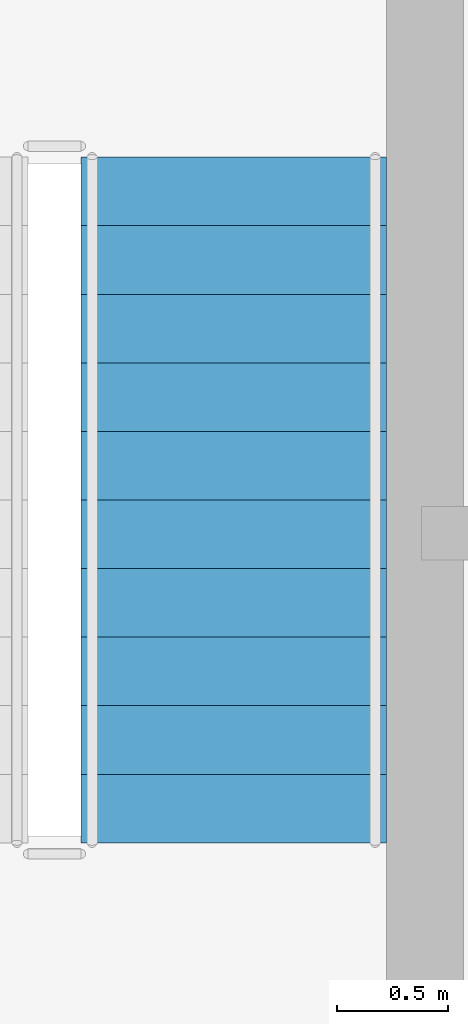
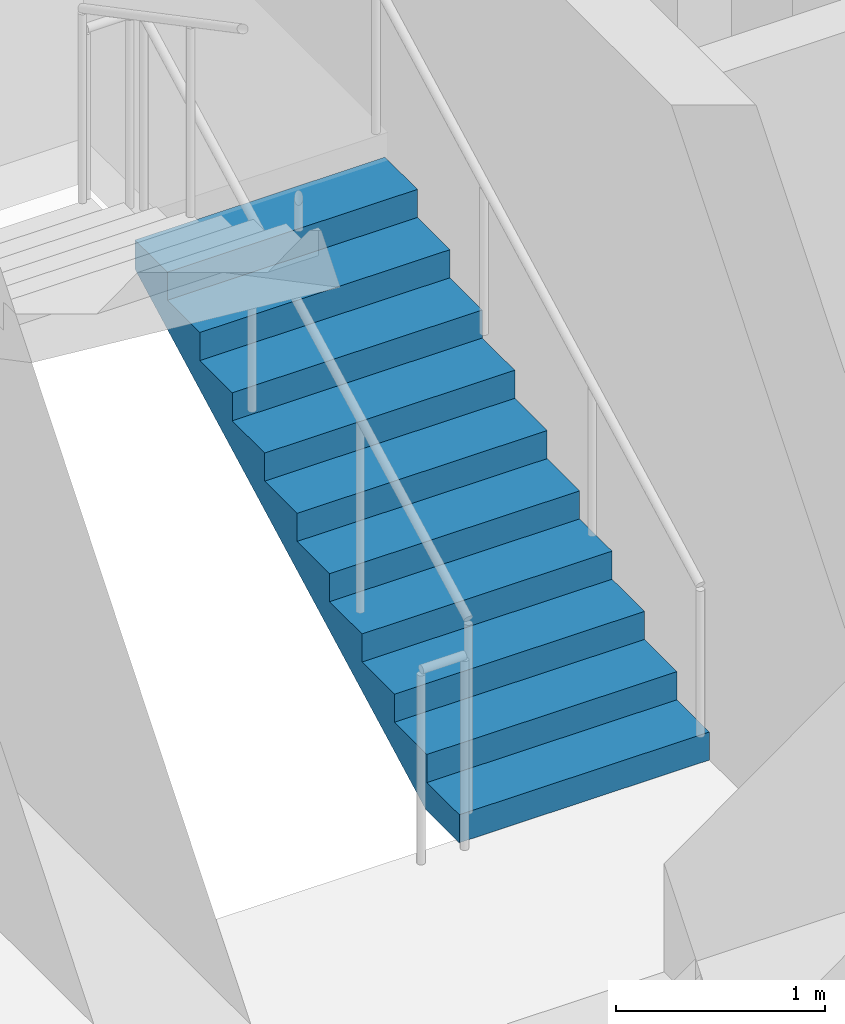
# One storey, part 20 of 21: 1 stair flight, 1 element without a shape of its own.
"""IFC4 building model written with IfcOpenShell, lengths in metres."""

from ifc_helpers import new_model, si_unit, direction, frame, origin, place, context, subcontext, project, spatial, polyline, outline, extrude, source, transform, mapped, material, type_object, element, aggregate, save


model = new_model("IFC4")

# Units and contexts
model_context = context("Model", 3, precision=1e-05, world=origin(), true_north=direction((0.0, 1.0)))
body_context = subcontext(model_context, "Body", "Model", "MODEL_VIEW")
ifc_project = project(units=[si_unit("LENGTHUNIT", "METRE"), si_unit("AREAUNIT", "SQUARE_METRE"), si_unit("VOLUMEUNIT", "CUBIC_METRE"), si_unit("PLANEANGLEUNIT", "RADIAN"), si_unit("MASSUNIT", "GRAM", prefix="KILO")], contexts=[model_context])

# Site, building, storey
site_placement = place(None, origin())
site = spatial("IfcSite", under=ifc_project, at=site_placement, CompositionType="ELEMENT")
building_placement = place(site_placement, origin())
building = spatial("IfcBuilding", under=site, at=building_placement, Name="Khoralis Quay Care Tower", CompositionType="ELEMENT")
storey_placement = place(building_placement, frame((0.0, 0.0, 213.300048828125)))
storey = spatial("IfcBuildingStorey", under=building, at=storey_placement, Name="L56", CompositionType="ELEMENT", Elevation=213.300048828125)

# Stair, stair flight
ifc_material = material(Name="Precast concrete C45/55", Category="concrete")
stair_type = type_object("IfcStairType", Name="ST-TWR-DOGLEG-1400", PredefinedType="HALF_TURN_STAIR", material=ifc_material)
stair_placement = place(storey_placement, origin())
stair = element("IfcStair", 1, at=stair_placement, inside=storey, type_object=stair_type, Name="L56 East Core Exit Stair ST-T2", PredefinedType="HALF_TURN_STAIR")
stair_flight_type = type_object("IfcStairFlightType", Name="SF-TWR-1400", PredefinedType="STRAIGHT", material=ifc_material)
shared_shape = source(origin(), body_context, "Body", "SweptSolid", [
    extrude(outline(polyline([(0.0, 0.0), (0.0, 0.16357421875), (0.31005859375, 0.16357421875), (0.31005859375, 0.327392578125), (0.6201171875, 0.327392578125), (0.6201171875, 0.490966796875), (0.929931640625, 0.490966796875), (0.929931640625, 0.654541015625), (1.239990234375, 0.654541015625), (1.239990234375, 0.818115234375), (1.550048828125, 0.818115234375), (1.550048828125, 0.98193359375), (1.860107421875, 0.98193359375), (1.860107421875, 1.1455078125), (2.169921875, 1.1455078125), (2.169921875, 1.30908203125), (2.47998046875, 1.30908203125), (2.47998046875, 1.47265625), (2.7900390625, 1.47265625), (2.7900390625, 1.636474609375), (3.10009765625, 1.636474609375), (3.10009765625, 1.800048828125), (3.10009765625, 1.466796875), (0.321044921875, 0.0), (0.0, 0.0)])), frame((0.0, 0.68994140625, 0.0), z_axis=(0.0, -1.0, 0.0), x_axis=(1.0, 0.0, 0.0)), (0.0, 0.0, 1.0), 1.3798828125),
])
stair_flight_placement = place(storey_placement, frame((33.830078125, 16.77001953125, 0.0), z_axis=(0.0, 0.0, 1.0), x_axis=(0.0, 1.0, 0.0)))
stair_flight = element("IfcStairFlight", 2, at=stair_flight_placement, type_object=stair_flight_type, Name="ST-T2 flight 1", NumberOfRisers=11, NumberOfTreads=10, PredefinedType="STRAIGHT", RiserHeight=0.163636364, TreadLength=0.31, context=body_context, shape_type="MappedRepresentation", body=[
    mapped(shared_shape, transform((0.0, 0.0, 0.0), scale=1.0)),
])
aggregate(stair, [stair_flight])

save(model, "model.ifc")
